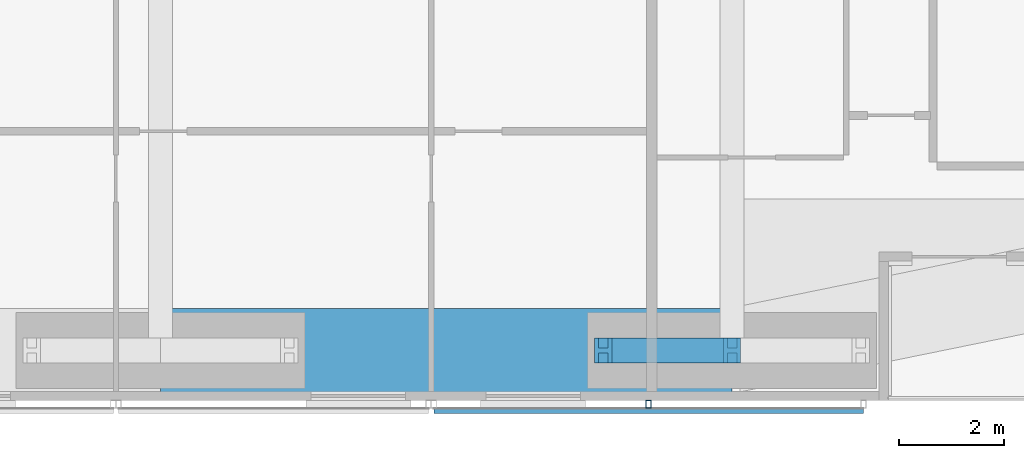
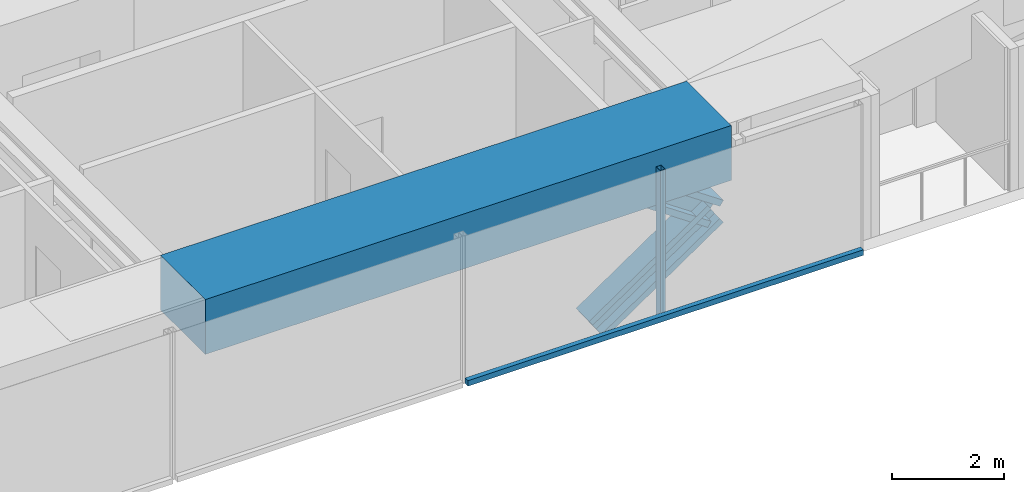
# One storey, part 5 of 23: 4 members, 1 beam, 1 element without a shape of its own.
"""IFC4 building model written with IfcOpenShell, lengths in metres."""

from ifc_helpers import new_model, si_unit, direction, frame, origin, origin_2d, place, context, subcontext, project, spatial, rectangle, hollow_rectangle, i_section, extrude, material, material_profile, profile_set, type_object, element, aggregate, save


model = new_model("IFC4")

# Units and contexts
model_context = context("Model", 3, precision=1e-05, world=origin(), true_north=direction((0.0, 1.0)))
body_context = subcontext(model_context, "Body", "Model", "MODEL_VIEW")
ifc_project = project(units=[si_unit("LENGTHUNIT", "METRE"), si_unit("AREAUNIT", "SQUARE_METRE"), si_unit("VOLUMEUNIT", "CUBIC_METRE"), si_unit("PLANEANGLEUNIT", "RADIAN"), si_unit("MASSUNIT", "GRAM", prefix="KILO")], contexts=[model_context])

# Site, building, storey
site_placement = place(None, origin())
site = spatial("IfcSite", under=ifc_project, at=site_placement, CompositionType="ELEMENT")
building_placement = place(site_placement, origin())
building = spatial("IfcBuilding", under=site, at=building_placement, Name="Jalousie Tower", CompositionType="ELEMENT")
storey_placement = place(building_placement, frame((0.0, 0.0, 114.89990234375)))
storey = spatial("IfcBuildingStorey", under=building, at=storey_placement, Name="L31", CompositionType="ELEMENT", Elevation=114.89990234375)

# Members
ifc_material_1 = material(Name="Steel ASTM A992 Grade 50", Category="steel")
ifc_material_profile_1 = material_profile(ifc_material_1, i_section(OverallWidth=0.472412109375, OverallDepth=0.5791015625, WebThickness=0.094970703125, FlangeThickness=0.1298828125, at=origin_2d()), Name="W14X808")
ifc_profile_set_1 = profile_set([ifc_material_profile_1], Name="Steel ASTM A992 Grade 50")
member_type_1 = type_object("IfcMemberType", Name="PERIMETER BRACE W14X808", PredefinedType="BRACE", material=ifc_profile_set_1)
for number, where, z_axis, x_axis, name in (
    (1, (36.175048828125, 0.949951171875, -0.599853515625), (0.825500916831, 0.0, 0.564400776321), (0.0, 1.0, 0.0), "Perimeter brace 04 L31 part 1"),
    (2, (38.625, 0.949951171875, 1.0751953125), (-0.825539243753, 0.0, 0.564344714713), (0.0, -1.0, 0.0), "Perimeter brace 04 L31 part 4"),
):
    element("IfcMember", number, at=place(storey_placement, frame(where, z_axis=z_axis, x_axis=x_axis)), inside=storey, type_object=member_type_1, Name=name, PredefinedType="BRACE", context=body_context, shape_type="SweptSolid", body=[
        extrude(i_section(OverallWidth=0.472412109375, OverallDepth=0.5791015625, WebThickness=0.094970703125, FlangeThickness=0.1298828125, at=origin_2d()), origin(), (0.0, 0.0, 1.0), 2.9677734375),
    ])

# Beam
ifc_material_2 = material(Name="Concrete f'c 40 MPa", Category="concrete")
ifc_material_profile_2 = material_profile(ifc_material_2, rectangle(XDim=1.60009765625, YDim=1.199951171875, at=origin_2d()), Name="RC 1600x1200")
ifc_profile_set_2 = profile_set([ifc_material_profile_2], Name="Concrete f'c 40 MPa")
beam_type = type_object("IfcBeamType", Name="RC BEAM 1600x1200", PredefinedType="BEAM", material=ifc_profile_set_2)
beam_placement = place(storey_placement, frame((27.75, 0.949951171875, 2.75), z_axis=(1.0, 0.0, 0.0), x_axis=(0.0, 1.0, 0.0)))
element("IfcBeam", 3, at=beam_placement, inside=storey, type_object=beam_type, Name="Edge band beam 03-04 under L32", PredefinedType="BEAM", context=body_context, shape_type="SweptSolid", body=[
    extrude(rectangle(XDim=1.60009765625, YDim=1.199951171875, at=origin_2d()), origin(), (0.0, 0.0, 1.0), 10.875),
])

# Curtain wall, members
ifc_material_3 = material(Name="Perforated aluminium sheet", Category="aluminium")
curtain_wall_type = type_object("IfcCurtainWallType", Name="SOLAR SCREEN SS-1", PredefinedType="USERDEFINED", material=ifc_material_3)
curtain_wall_placement = place(storey_placement, origin())
curtain_wall = element("IfcCurtainWall", 4, at=curtain_wall_placement, inside=storey, type_object=curtain_wall_type, Name="Solar screen L31", ObjectType="SOLAR SCREEN SS-1", PredefinedType="USERDEFINED")
ifc_material_4 = material(Name="Steel ASTM A500 Grade C", Category="steel")
ifc_material_profile_3 = material_profile(ifc_material_4, hollow_rectangle(XDim=0.1015625, YDim=0.15234375, WallThickness=0.00634765625, at=origin_2d()), Name="HSS6X4X1/4")
ifc_profile_set_3 = profile_set([ifc_material_profile_3], Name="Steel ASTM A500 Grade C")
member_type_2 = type_object("IfcMemberType", Name="SOLAR SCREEN SS-1 MULLION", PredefinedType="MULLION", material=ifc_profile_set_3)
member_1_placement = place(storey_placement, frame((37.03759765625, -0.0712890625, -0.119873046875), z_axis=(0.0, 0.0, 1.0), x_axis=(1.0, 0.0, 0.0)))
member_1 = element("IfcMember", 5, at=member_1_placement, type_object=member_type_2, Name="SS1 post 2", PredefinedType="MULLION", context=body_context, shape_type="SweptSolid", body=[
    extrude(hollow_rectangle(XDim=0.1015625, YDim=0.15234375, WallThickness=0.00634765625, at=origin_2d()), origin(), (0.0, 0.0, 1.0), 3.22998046875),
])
ifc_material_5 = material(Name="Extruded aluminium screen rail", Category="aluminium")
ifc_material_profile_4 = material_profile(ifc_material_5, rectangle(XDim=0.1015625, YDim=0.1201171875, at=origin_2d()), Name="RAIL 102x120")
ifc_profile_set_4 = profile_set([ifc_material_profile_4], Name="Extruded aluminium screen rail")
member_type_3 = type_object("IfcMemberType", Name="SOLAR SCREEN SS-1 TRANSOM", PredefinedType="USERDEFINED", material=ifc_profile_set_4)
member_2_placement = place(storey_placement, frame((32.949951171875, -0.1982421875, -0.059814453125), z_axis=(1.0, 0.0, 0.0), x_axis=(0.0, 1.0, 0.0)))
member_2 = element("IfcMember", 6, at=member_2_placement, type_object=member_type_3, Name="SS1 rail", ObjectType="TRANSOM", PredefinedType="USERDEFINED", context=body_context, shape_type="SweptSolid", body=[
    extrude(rectangle(XDim=0.1015625, YDim=0.1201171875, at=origin_2d()), origin(), (0.0, 0.0, 1.0), 8.175048828125),
])
aggregate(curtain_wall, [member_1, member_2])

save(model, "model.ifc")
